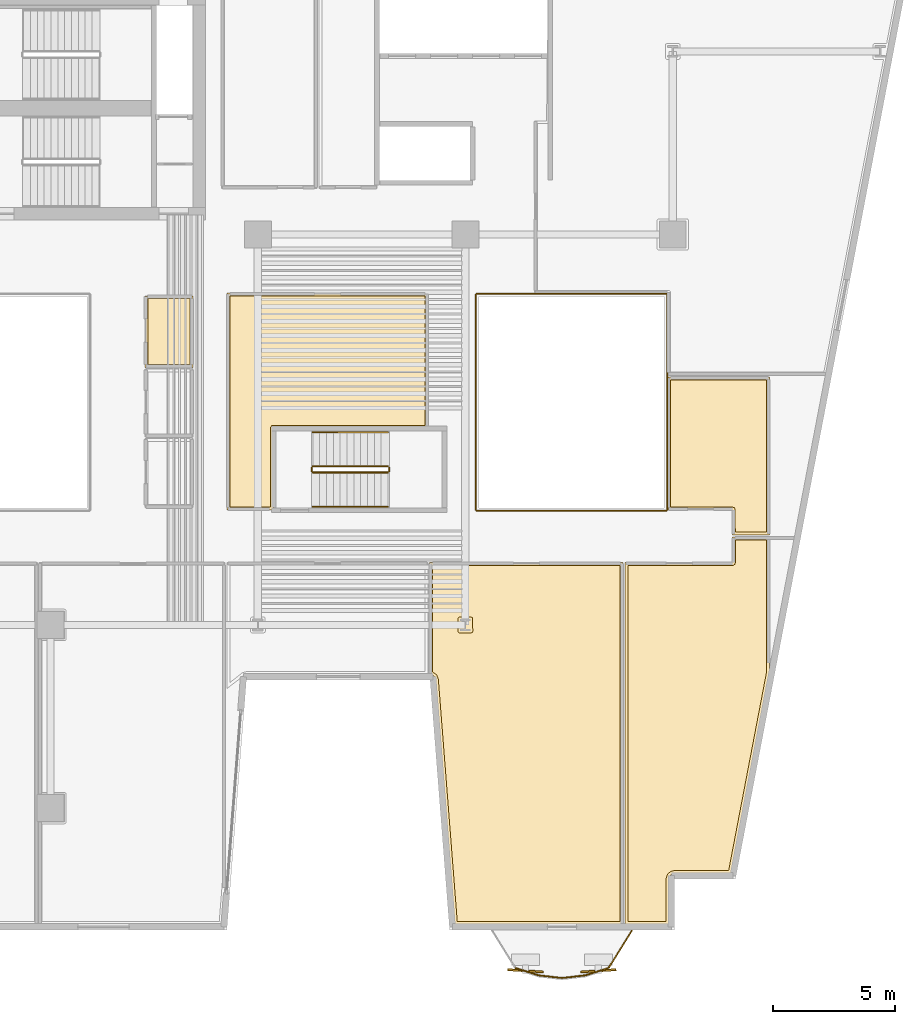
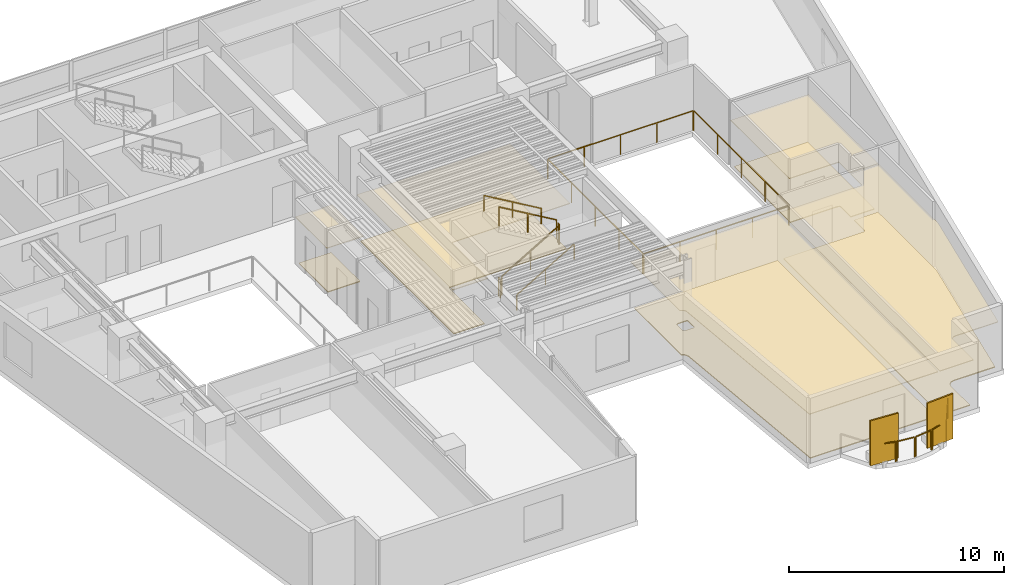
# One storey, part 11 of 13: 15 railings, 10 coverings, 2 shading devices.
"""IFC4 building model written with IfcOpenShell, lengths in metres."""

from ifc_helpers import new_model, si_unit, direction, frame, origin, origin_2d, place, context, subcontext, project, spatial, polyline, rectangle, outline, extrude, material, layer, layer_set, type_object, element, save


model = new_model("IFC4")

# Units and contexts
model_context = context("Model", 3, precision=1e-05, world=origin(), true_north=direction((0.0, 1.0)))
body_context = subcontext(model_context, "Body", "Model", "MODEL_VIEW")
ifc_project = project(units=[si_unit("LENGTHUNIT", "METRE"), si_unit("AREAUNIT", "SQUARE_METRE"), si_unit("VOLUMEUNIT", "CUBIC_METRE"), si_unit("PLANEANGLEUNIT", "RADIAN"), si_unit("MASSUNIT", "GRAM", prefix="KILO")], contexts=[model_context])

# Site, building, storey
site_placement = place(None, origin())
site = spatial("IfcSite", under=ifc_project, at=site_placement, CompositionType="ELEMENT")
building_placement = place(site_placement, origin())
building = spatial("IfcBuilding", under=site, at=building_placement, Name="Caeloran Harvest Quay", CompositionType="ELEMENT")
storey_placement = place(building_placement, frame((0.0, 0.0, 170.64990234375)))
storey = spatial("IfcBuildingStorey", under=building, at=storey_placement, Name="L40", CompositionType="ELEMENT", Elevation=170.64990234375)

# Coverings
ifc_material_1 = material(Name="Perforated Mineral-Fibre Acoustic Ceiling Tile", Category="ceiling")
ifc_layer_1 = layer(ifc_material_1, 0.0400390625, Name="Perforated Mineral-Fibre Acoustic Ceiling Tile")
ifc_layer_set_1 = layer_set([ifc_layer_1], Name="Perforated Mineral-Fibre Acoustic Ceiling Tile")
covering_type_1 = type_object("IfcCoveringType", Name="COV-CEILING-ACOUSTIC", PredefinedType="CEILING", material=ifc_layer_set_1)
covering_1_placement = place(storey_placement, frame((0.0, 0.0, 2.60009765625)))
element("IfcCovering", 1, at=covering_1_placement, inside=storey, type_object=covering_type_1, Name="L40 Male Washroom WC Acoustic Ceiling", PredefinedType="CEILING", context=body_context, shape_type="SweptSolid", body=[
    extrude(outline(polyline([(22.840087890625, 25.56005859375), (20.8701171875, 25.56005859375), (20.8701171875, 28.489990234375), (22.840087890625, 28.489990234375), (22.840087890625, 25.56005859375)])), origin(), (0.0, 0.0, 1.0), 0.0400390625),
])
covering_2_placement = place(storey_placement, frame((0.0, 0.0, 2.60009765625)))
element("IfcCovering", 2, at=covering_2_placement, inside=storey, type_object=covering_type_1, Name="Culinary Product Studio Acoustic Ceiling", PredefinedType="CEILING", context=body_context, shape_type="SweptSolid", body=[
    extrude(outline(polyline([(40.4599609375, 2.719970703125), (33.55859375, 2.719970703125), (32.7744140625, 12.76611328125), (32.759521484375, 12.830810546875), (32.712158203125, 12.90380859375), (32.5400390625, 13.01171875), (32.5400390625, 17.56005859375), (40.4599609375, 17.56005859375), (40.4599609375, 2.719970703125)])), origin(), (0.0, 0.0, 1.0), 0.0400390625),
])
covering_3_placement = place(storey_placement, frame((0.0, 0.0, 2.60009765625)))
element("IfcCovering", 3, at=covering_3_placement, inside=storey, type_object=covering_type_1, Name="Investor Dining Salon Lounge Acoustic Ceiling", PredefinedType="CEILING", context=body_context, shape_type="SweptSolid", body=[
    extrude(outline(polyline([(44.93994140625, 17.56005859375), (44.93994140625, 18.610107421875), (46.4599609375, 18.610107421875), (46.4599609375, 13.0458984375), (44.888916015625, 4.820068359375), (42.571044921875, 4.820068359375), (42.46630859375, 4.7939453125), (42.38720703125, 4.72216796875), (42.35107421875, 4.62158203125), (42.35009765625, 2.719970703125), (40.5400390625, 2.719970703125), (40.5400390625, 17.56005859375), (44.93994140625, 17.56005859375)])), origin(), (0.0, 0.0, 1.0), 0.0400390625),
])
covering_4_placement = place(storey_placement, frame((0.0, 0.0, 2.60009765625)))
element("IfcCovering", 4, at=covering_4_placement, inside=storey, type_object=covering_type_1, Name="Summit Boardroom Acoustic Ceiling", PredefinedType="CEILING", context=body_context, shape_type="SweptSolid", body=[
    extrude(outline(polyline([(44.93994140625, 19.7099609375), (42.2900390625, 19.7099609375), (42.2900390625, 25.159912109375), (46.4599609375, 25.159912109375), (46.4599609375, 18.68994140625), (44.93994140625, 18.68994140625), (44.93994140625, 19.7099609375)])), origin(), (0.0, 0.0, 1.0), 0.0400390625),
])
covering_5_placement = place(storey_placement, frame((0.0, 0.0, 2.60009765625)))
element("IfcCovering", 5, at=covering_5_placement, inside=storey, type_object=covering_type_1, Name="Hospitality Tasting Dining Kitchen 9 Acoustic Ceiling", PredefinedType="CEILING", context=body_context, shape_type="SweptSolid", body=[
    extrude(outline(polyline([(32.4599609375, 28.610107421875), (32.4599609375, 23.06005859375), (26.139892578125, 23.06005859375), (26.139892578125, 19.7099609375), (24.239990234375, 19.7099609375), (24.239990234375, 28.610107421875), (32.4599609375, 28.610107421875)])), origin(), (0.0, 0.0, 1.0), 0.0400390625),
])
ifc_material_2 = material(Name="Calcium-Sulphate Raised Access Floor and Terrazzo Finish", Category="flooring")
ifc_layer_2 = layer(ifc_material_2, 0.050048828125, Name="Calcium-Sulphate Raised Access Floor and Terrazzo Finish")
ifc_layer_set_2 = layer_set([ifc_layer_2], Name="Calcium-Sulphate Raised Access Floor and Terrazzo Finish")
covering_type_2 = type_object("IfcCoveringType", Name="COV-FLOOR-RAISED", PredefinedType="FLOORING", material=ifc_layer_set_2)
covering_6_placement = place(storey_placement, origin())
element("IfcCovering", 6, at=covering_6_placement, inside=storey, type_object=covering_type_2, Name="L40 Male Washroom WC Raised Finish Flooring", PredefinedType="FLOORING", context=body_context, shape_type="SweptSolid", body=[
    extrude(outline(polyline([(22.719970703125, 25.679931640625), (20.989990234375, 25.679931640625), (20.989990234375, 28.3701171875), (22.719970703125, 28.3701171875), (22.719970703125, 25.679931640625)])), origin(), (0.0, 0.0, 1.0), 0.050048828125),
])
covering_7_placement = place(storey_placement, origin())
element("IfcCovering", 7, at=covering_7_placement, inside=storey, type_object=covering_type_2, Name="Culinary Product Studio Raised Finish Flooring", PredefinedType="FLOORING", context=body_context, shape_type="SweptSolid", body=[
    extrude(outline(polyline([(32.659912109375, 13.0732421875), (32.659912109375, 17.43994140625), (40.340087890625, 17.43994140625), (40.340087890625, 2.840087890625), (33.66943359375, 2.840087890625), (32.89404296875, 12.776611328125), (32.82275390625, 12.959228515625), (32.659912109375, 13.0732421875)]), holes=[polyline([(34.306884765625, 14.748046875), (34.288818359375, 15.302734375), (34.23486328125, 15.33154296875), (33.77294921875, 15.33203125), (33.71630859375, 15.30859375), (33.693115234375, 15.251953125), (33.693115234375, 14.748046875), (33.71630859375, 14.69140625), (33.77294921875, 14.66796875), (34.22705078125, 14.66796875), (34.28369140625, 14.69140625), (34.306884765625, 14.748046875)])]), origin(), (0.0, 0.0, 1.0), 0.050048828125),
])
covering_8_placement = place(storey_placement, origin())
element("IfcCovering", 8, at=covering_8_placement, inside=storey, type_object=covering_type_2, Name="Investor Dining Salon Lounge Raised Finish Flooring", PredefinedType="FLOORING", context=body_context, shape_type="SweptSolid", body=[
    extrude(outline(polyline([(44.97802734375, 17.443603515625), (45.037353515625, 17.4833984375), (45.059814453125, 17.543212890625), (45.06005859375, 18.489990234375), (46.340087890625, 18.489990234375), (46.340087890625, 13.05712890625), (44.789794921875, 4.93994140625), (42.570068359375, 4.93994140625), (42.4130859375, 4.901611328125), (42.28515625, 4.78564453125), (42.231201171875, 4.62939453125), (42.22998046875, 2.840087890625), (40.659912109375, 2.840087890625), (40.659912109375, 17.43994140625), (44.97802734375, 17.443603515625)])), origin(), (0.0, 0.0, 1.0), 0.050048828125),
])
covering_9_placement = place(storey_placement, origin())
element("IfcCovering", 9, at=covering_9_placement, inside=storey, type_object=covering_type_2, Name="Summit Boardroom Raised Finish Flooring", PredefinedType="FLOORING", context=body_context, shape_type="SweptSolid", body=[
    extrude(outline(polyline([(45.056396484375, 19.748046875), (45.0166015625, 19.807373046875), (44.953857421875, 19.829833984375), (42.409912109375, 19.830078125), (42.409912109375, 25.0400390625), (46.340087890625, 25.0400390625), (46.340087890625, 18.81005859375), (45.06005859375, 18.81005859375), (45.056396484375, 19.748046875)])), origin(), (0.0, 0.0, 1.0), 0.050048828125),
])
covering_10_placement = place(storey_placement, origin())
element("IfcCovering", 10, at=covering_10_placement, inside=storey, type_object=covering_type_2, Name="Hospitality Tasting Dining Kitchen 9 Raised Finish Flooring", PredefinedType="FLOORING", context=body_context, shape_type="SweptSolid", body=[
    extrude(outline(polyline([(32.340087890625, 28.489990234375), (32.340087890625, 23.179931640625), (26.0693359375, 23.173828125), (26.02001953125, 23.10009765625), (26.02001953125, 19.830078125), (24.360107421875, 19.830078125), (24.360107421875, 28.489990234375), (32.340087890625, 28.489990234375)])), origin(), (0.0, 0.0, 1.0), 0.050048828125),
])

# Railings
ifc_material_3 = material(Name="Powder-Coated Steel Post and Laminated Glass Guardrail", Category="steel")
ifc_layer_3 = layer(ifc_material_3, 0.06005859375, Name="Powder-Coated Steel Post and Laminated Glass Guardrail")
ifc_layer_set_3 = layer_set([ifc_layer_3], Name="Powder-Coated Steel Post and Laminated Glass Guardrail")
railing_type_1 = type_object("IfcRailingType", Name="GUARD-ATRIUM-1150", PredefinedType="GUARDRAIL", material=ifc_layer_set_3)
railing_1_placement = place(storey_placement, frame((34.4619140625, 19.679931640625, 0.0)))
element("IfcRailing", 11, at=railing_1_placement, inside=storey, type_object=railing_type_1, Name="L40 East Botanical Lightwell Guardrail Seg 1", PredefinedType="GUARDRAIL", context=body_context, shape_type="SweptSolid", body=[
    extrude(rectangle(XDim=0.048095703125, YDim=0.048095703125, at=origin_2d()), frame((0.0, 0.0, 1.1259765625), z_axis=(1.0, 0.0, 0.0), x_axis=(0.0, 1.0, 0.0)), (0.0, 0.0, 1.0), 7.776123046875),
    extrude(rectangle(XDim=0.0419921875, YDim=0.0419921875, at=origin_2d()), origin(), (0.0, 0.0, 1.0), 1.101806640625),
    extrude(rectangle(XDim=0.0419921875, YDim=0.0419921875, at=origin_2d()), frame((1.944091796875, 0.0, 0.0)), (0.0, 0.0, 1.0), 1.101806640625),
    extrude(rectangle(XDim=0.0419921875, YDim=0.0419921875, at=origin_2d()), frame((3.88818359375, 0.0, 0.0)), (0.0, 0.0, 1.0), 1.101806640625),
    extrude(rectangle(XDim=0.0419921875, YDim=0.0419921875, at=origin_2d()), frame((5.83203125, 0.0, 0.0)), (0.0, 0.0, 1.0), 1.101806640625),
    extrude(rectangle(XDim=0.0419921875, YDim=0.0419921875, at=origin_2d()), frame((7.776123046875, 0.0, 0.0)), (0.0, 0.0, 1.0), 1.101806640625),
])
railing_2_placement = place(storey_placement, frame((42.27001953125, 19.7119140625, 0.0)))
element("IfcRailing", 12, at=railing_2_placement, inside=storey, type_object=railing_type_1, Name="L40 East Botanical Lightwell Guardrail Seg 2", PredefinedType="GUARDRAIL", context=body_context, shape_type="SweptSolid", body=[
    extrude(rectangle(XDim=0.048095703125, YDim=0.048095703125, at=origin_2d()), frame((0.0, 0.0, 1.1259765625), z_axis=(0.0, 1.0, 0.0), x_axis=(-1.0, 0.0, 0.0)), (0.0, 0.0, 1.0), 8.826171875),
    extrude(rectangle(XDim=0.0419921875, YDim=0.0419921875, at=origin_2d()), origin(), (0.0, 0.0, 1.0), 1.101806640625),
    extrude(rectangle(XDim=0.0419921875, YDim=0.0419921875, at=origin_2d()), frame((0.0, 2.20654296875, 0.0)), (0.0, 0.0, 1.0), 1.101806640625),
    extrude(rectangle(XDim=0.0419921875, YDim=0.0419921875, at=origin_2d()), frame((0.0, 4.4130859375, 0.0)), (0.0, 0.0, 1.0), 1.101806640625),
    extrude(rectangle(XDim=0.0419921875, YDim=0.0419921875, at=origin_2d()), frame((0.0, 6.61962890625, 0.0)), (0.0, 0.0, 1.0), 1.101806640625),
    extrude(rectangle(XDim=0.0419921875, YDim=0.0419921875, at=origin_2d()), frame((0.0, 8.826171875, 0.0)), (0.0, 0.0, 1.0), 1.101806640625),
])
railing_3_placement = place(storey_placement, frame((42.238037109375, 28.570068359375, 0.0)))
element("IfcRailing", 13, at=railing_3_placement, inside=storey, type_object=railing_type_1, Name="L40 East Botanical Lightwell Guardrail Seg 3", PredefinedType="GUARDRAIL", context=body_context, shape_type="SweptSolid", body=[
    extrude(rectangle(XDim=0.048095703125, YDim=0.048095703125, at=origin_2d()), frame((0.0, 0.0, 1.1259765625), z_axis=(-1.0, 0.0, 0.0), x_axis=(0.0, -1.0, 0.0)), (0.0, 0.0, 1.0), 7.776123046875),
    extrude(rectangle(XDim=0.0419921875, YDim=0.0419921875, at=origin_2d()), origin(), (0.0, 0.0, 1.0), 1.101806640625),
    extrude(rectangle(XDim=0.0419921875, YDim=0.0419921875, at=origin_2d()), frame((-1.944091796875, 0.0, 0.0)), (0.0, 0.0, 1.0), 1.101806640625),
    extrude(rectangle(XDim=0.0419921875, YDim=0.0419921875, at=origin_2d()), frame((-3.88818359375, 0.0, 0.0)), (0.0, 0.0, 1.0), 1.101806640625),
    extrude(rectangle(XDim=0.0419921875, YDim=0.0419921875, at=origin_2d()), frame((-5.83203125, 0.0, 0.0)), (0.0, 0.0, 1.0), 1.101806640625),
    extrude(rectangle(XDim=0.0419921875, YDim=0.0419921875, at=origin_2d()), frame((-7.776123046875, 0.0, 0.0)), (0.0, 0.0, 1.0), 1.101806640625),
])
railing_4_placement = place(storey_placement, frame((34.429931640625, 28.5380859375, 0.0)))
element("IfcRailing", 14, at=railing_4_placement, inside=storey, type_object=railing_type_1, Name="L40 East Botanical Lightwell Guardrail Seg 4", PredefinedType="GUARDRAIL", context=body_context, shape_type="SweptSolid", body=[
    extrude(rectangle(XDim=0.048095703125, YDim=0.048095703125, at=origin_2d()), frame((0.0, 0.0, 1.1259765625), z_axis=(0.0, -1.0, 0.0), x_axis=(1.0, 0.0, 0.0)), (0.0, 0.0, 1.0), 8.826171875),
    extrude(rectangle(XDim=0.0419921875, YDim=0.0419921875, at=origin_2d()), origin(), (0.0, 0.0, 1.0), 1.101806640625),
    extrude(rectangle(XDim=0.0419921875, YDim=0.0419921875, at=origin_2d()), frame((0.0, -2.20654296875, 0.0)), (0.0, 0.0, 1.0), 1.101806640625),
    extrude(rectangle(XDim=0.0419921875, YDim=0.0419921875, at=origin_2d()), frame((0.0, -4.4130859375, 0.0)), (0.0, 0.0, 1.0), 1.101806640625),
    extrude(rectangle(XDim=0.0419921875, YDim=0.0419921875, at=origin_2d()), frame((0.0, -6.61962890625, 0.0)), (0.0, 0.0, 1.0), 1.101806640625),
    extrude(rectangle(XDim=0.0419921875, YDim=0.0419921875, at=origin_2d()), frame((0.0, -8.826171875, 0.0)), (0.0, 0.0, 1.0), 1.101806640625),
])
ifc_material_4 = material(Name="Laminated Safety Glass and Stainless Steel 316", Category="steel")
ifc_layer_4 = layer(ifc_material_4, 0.06005859375, Name="Laminated Safety Glass and Stainless Steel 316")
ifc_layer_set_4 = layer_set([ifc_layer_4], Name="Laminated Safety Glass and Stainless Steel 316")
railing_type_2 = type_object("IfcRailingType", Name="GUARD-BALUSTRADE-1150", PredefinedType="BALUSTRADE", material=ifc_layer_set_4)
railing_5_placement = place(storey_placement, frame((40.825927734375, 2.47998046875, 0.0)))
element("IfcRailing", 15, at=railing_5_placement, inside=storey, type_object=railing_type_2, Name="L40 Planted Balcony Perimeter Balustrade Guard Seg 1", PredefinedType="BALUSTRADE", context=body_context, shape_type="SweptSolid", body=[
    extrude(rectangle(XDim=0.048095703125, YDim=0.048095703125, at=origin_2d()), frame((0.0, 0.0, 1.1259765625), z_axis=(-0.529145567667, -0.84853106497, 0.0), x_axis=(0.84853106497, -0.529145567667, 0.0)), (0.0, 0.0, 1.0), 1.77490234375),
    extrude(rectangle(XDim=0.0419921875, YDim=0.0419921875, at=origin_2d()), origin(), (0.0, 0.0, 1.0), 1.101806640625),
    extrude(rectangle(XDim=0.0419921875, YDim=0.0419921875, at=origin_2d()), frame((-0.939208984375, -1.506103515625, 0.0)), (0.0, 0.0, 1.0), 1.101806640625),
])
railing_6_placement = place(storey_placement, frame((39.83935546875, 0.93701171875, 0.0)))
element("IfcRailing", 16, at=railing_6_placement, inside=storey, type_object=railing_type_2, Name="L40 Planted Balcony Perimeter Balustrade Guard Seg 2", PredefinedType="BALUSTRADE", context=body_context, shape_type="SweptSolid", body=[
    extrude(rectangle(XDim=0.048095703125, YDim=0.048095703125, at=origin_2d()), frame((0.0, 0.0, 1.1259765625), z_axis=(-0.953433225927, -0.301604183822, 0.0), x_axis=(0.301604183822, -0.953433225927, 0.0)), (0.0, 0.0, 1.0), 0.93896484375),
    extrude(rectangle(XDim=0.0419921875, YDim=0.0419921875, at=origin_2d()), origin(), (0.0, 0.0, 1.0), 1.101806640625),
    extrude(rectangle(XDim=0.0419921875, YDim=0.0419921875, at=origin_2d()), frame((-0.895263671875, -0.283203125, 0.0)), (0.0, 0.0, 1.0), 1.101806640625),
])
railing_7_placement = place(storey_placement, frame((38.8818359375, 0.640380859375, 0.0)))
element("IfcRailing", 17, at=railing_7_placement, inside=storey, type_object=railing_type_2, Name="L40 Planted Balcony Perimeter Balustrade Guard Seg 3", PredefinedType="BALUSTRADE", context=body_context, shape_type="SweptSolid", body=[
    extrude(rectangle(XDim=0.048095703125, YDim=0.048095703125, at=origin_2d()), frame((0.0, 0.0, 1.1259765625), z_axis=(-0.993342131625, -0.115201603887, 0.0), x_axis=(0.115201603887, -0.993342131625, 0.0)), (0.0, 0.0, 1.0), 0.898681640625),
    extrude(rectangle(XDim=0.0419921875, YDim=0.0419921875, at=origin_2d()), origin(), (0.0, 0.0, 1.0), 1.101806640625),
    extrude(rectangle(XDim=0.0419921875, YDim=0.0419921875, at=origin_2d()), frame((-0.892578125, -0.103515625, 0.0)), (0.0, 0.0, 1.0), 1.101806640625),
])
railing_8_placement = place(storey_placement, frame((37.92578125, 0.536865234375, 0.0)))
element("IfcRailing", 18, at=railing_8_placement, inside=storey, type_object=railing_type_2, Name="L40 Planted Balcony Perimeter Balustrade Guard Seg 4", PredefinedType="BALUSTRADE", context=body_context, shape_type="SweptSolid", body=[
    extrude(rectangle(XDim=0.048095703125, YDim=0.048095703125, at=origin_2d()), frame((0.0, 0.0, 1.1259765625), z_axis=(-0.993342131625, 0.115201603887, 0.0), x_axis=(-0.115201603887, -0.993342131625, 0.0)), (0.0, 0.0, 1.0), 0.898681640625),
    extrude(rectangle(XDim=0.0419921875, YDim=0.0419921875, at=origin_2d()), origin(), (0.0, 0.0, 1.0), 1.101806640625),
    extrude(rectangle(XDim=0.0419921875, YDim=0.0419921875, at=origin_2d()), frame((-0.892578125, 0.103515625, 0.0)), (0.0, 0.0, 1.0), 1.101806640625),
])
railing_9_placement = place(storey_placement, frame((36.970703125, 0.65380859375, 0.0)))
element("IfcRailing", 19, at=railing_9_placement, inside=storey, type_object=railing_type_2, Name="L40 Planted Balcony Perimeter Balustrade Guard Seg 5", PredefinedType="BALUSTRADE", context=body_context, shape_type="SweptSolid", body=[
    extrude(rectangle(XDim=0.048095703125, YDim=0.048095703125, at=origin_2d()), frame((0.0, 0.0, 1.1259765625), z_axis=(-0.953409565879, 0.301678967927, 0.0), x_axis=(-0.301678967927, -0.953409565879, 0.0)), (0.0, 0.0, 1.0), 0.938720703125),
    extrude(rectangle(XDim=0.0419921875, YDim=0.0419921875, at=origin_2d()), origin(), (0.0, 0.0, 1.0), 1.101806640625),
    extrude(rectangle(XDim=0.0419921875, YDim=0.0419921875, at=origin_2d()), frame((-0.89501953125, 0.283203125, 0.0)), (0.0, 0.0, 1.0), 1.101806640625),
])

# Shading devices
ifc_material_5 = material(Name="3003-H14 Perforated Powder-Coated Aluminium", Category="aluminium")
shading_device_type = type_object("IfcShadingDeviceType", Name="SHADE-SCREEN-FOLDED", PredefinedType="USERDEFINED", material=ifc_material_5)
for number, where, z_axis, x_axis, name in (
    (20, (39.44921875, 0.82861328125, 0.0751953125), (0.0, 0.0, 1.0), (0.997801468292, 0.0662739004, 0.0), "L40 Folded Facade Breathing Screen 1"),
    (21, (36.4658203125, 0.82861328125, 0.0751953125), (0.0, 0.0, 1.0), (0.997801468292, -0.0662739004, 0.0), "L40 Folded Facade Breathing Screen 2"),
):
    element("IfcShadingDevice", number, at=place(storey_placement, frame(where, z_axis=z_axis, x_axis=x_axis)), inside=storey, type_object=shading_device_type, Name=name, ObjectType="SCREEN", PredefinedType="USERDEFINED", context=body_context, shape_type="SweptSolid", body=[
        extrude(rectangle(XDim=1.449951171875, YDim=0.080078125, at=origin_2d()), origin(), (0.0, 0.0, 1.0), 2.550048828125),
    ])

# Railings
ifc_material_6 = material(Name="Painted Steel Baluster and Top-Rail Stair Guard", Category="steel")
ifc_layer_5 = layer(ifc_material_6, 0.050048828125, Name="Painted Steel Baluster and Top-Rail Stair Guard")
ifc_layer_set_5 = layer_set([ifc_layer_5], Name="Painted Steel Baluster and Top-Rail Stair Guard")
railing_type_3 = type_object("IfcRailingType", Name="STAIR-GUARD-1100", PredefinedType="GUARDRAIL", material=ifc_layer_set_5)
railing_10_placement = place(storey_placement, frame((27.75, 21.25, 0.164794921875)))
element("IfcRailing", 22, at=railing_10_placement, inside=storey, type_object=railing_type_3, Name="L40 ST-W1 stair guard 1", PredefinedType="GUARDRAIL", context=body_context, shape_type="SweptSolid", body=[
    extrude(rectangle(XDim=0.048095703125, YDim=0.048095703125, at=origin_2d()), frame((0.0, 0.0, 1.076171875), z_axis=(0.862118610829, 0.0, 0.506706523406), x_axis=(0.0, 1.0, 0.0)), (0.0, 0.0, 1.0), 3.57275390625),
    extrude(rectangle(XDim=0.0419921875, YDim=0.0419921875, at=origin_2d()), origin(), (0.0, 0.0, 1.0), 1.052001953125),
    extrude(rectangle(XDim=0.0419921875, YDim=0.0419921875, at=origin_2d()), frame((1.5400390625, 0.0, 0.9052734375)), (0.0, 0.0, 1.0), 1.052001953125),
    extrude(rectangle(XDim=0.0419921875, YDim=0.0419921875, at=origin_2d()), frame((3.080078125, 0.0, 1.810302734375)), (0.0, 0.0, 1.0), 1.052001953125),
])
railing_11_placement = place(storey_placement, frame((30.8798828125, 21.300048828125, 1.97509765625)))
element("IfcRailing", 23, at=railing_11_placement, inside=storey, type_object=railing_type_3, Name="L40 ST-W1 stair guard 2", PredefinedType="GUARDRAIL", context=body_context, shape_type="SweptSolid", body=[
    extrude(rectangle(XDim=0.048095703125, YDim=0.048095703125, at=origin_2d()), frame((0.0, 0.0, 1.076171875), z_axis=(0.0, 1.0, 0.0), x_axis=(-1.0, 0.0, 0.0)), (0.0, 0.0, 1.0), 0.14990234375),
    extrude(rectangle(XDim=0.0419921875, YDim=0.0419921875, at=origin_2d()), origin(), (0.0, 0.0, 1.0), 1.052001953125),
    extrude(rectangle(XDim=0.0419921875, YDim=0.0419921875, at=origin_2d()), frame((0.0, 0.14990234375, 0.0)), (0.0, 0.0, 1.0), 1.052001953125),
])
railing_12_placement = place(storey_placement, frame((30.830078125, 21.5, 2.1396484375)))
element("IfcRailing", 24, at=railing_12_placement, inside=storey, type_object=railing_type_3, Name="L40 ST-W1 stair guard 3", PredefinedType="GUARDRAIL", context=body_context, shape_type="SweptSolid", body=[
    extrude(rectangle(XDim=0.048095703125, YDim=0.048095703125, at=origin_2d()), frame((0.0, 0.0, 1.076171875), z_axis=(-0.862088758681, 0.0, 0.506757310905), x_axis=(0.0, -1.0, 0.0)), (0.0, 0.0, 1.0), 3.57275390625),
    extrude(rectangle(XDim=0.0419921875, YDim=0.0419921875, at=origin_2d()), origin(), (0.0, 0.0, 1.0), 1.052001953125),
    extrude(rectangle(XDim=0.0419921875, YDim=0.0419921875, at=origin_2d()), frame((-1.5400390625, 0.0, 0.9052734375)), (0.0, 0.0, 1.0), 1.052001953125),
    extrude(rectangle(XDim=0.0419921875, YDim=0.0419921875, at=origin_2d()), frame((-3.080078125, 0.0, 1.810546875)), (0.0, 0.0, 1.0), 1.052001953125),
])
railing_13_placement = place(storey_placement, frame((27.699951171875, 21.300048828125, 0.0)))
element("IfcRailing", 25, at=railing_13_placement, inside=storey, type_object=railing_type_3, Name="L40 ST-W1 stair guard 4", PredefinedType="GUARDRAIL", context=body_context, shape_type="SweptSolid", body=[
    extrude(rectangle(XDim=0.048095703125, YDim=0.048095703125, at=origin_2d()), frame((0.0, 0.0, 1.076171875), z_axis=(0.0, 1.0, 0.0), x_axis=(-1.0, 0.0, 0.0)), (0.0, 0.0, 1.0), 0.14990234375),
    extrude(rectangle(XDim=0.0419921875, YDim=0.0419921875, at=origin_2d()), origin(), (0.0, 0.0, 1.0), 1.052001953125),
    extrude(rectangle(XDim=0.0419921875, YDim=0.0419921875, at=origin_2d()), frame((0.0, 0.14990234375, 0.0)), (0.0, 0.0, 1.0), 1.052001953125),
])
ifc_material_7 = material(Name="Brushed Stainless Steel Grade 304", Category="steel")
ifc_layer_6 = layer(ifc_material_7, 0.050048828125, Name="Brushed Stainless Steel Grade 304")
ifc_layer_set_6 = layer_set([ifc_layer_6], Name="Brushed Stainless Steel Grade 304")
railing_type_4 = type_object("IfcRailingType", Name="STAIR-HANDRAIL-900", PredefinedType="HANDRAIL", material=ifc_layer_set_6)
railing_14_placement = place(storey_placement, frame((27.75, 19.85009765625, 0.164794921875)))
element("IfcRailing", 26, at=railing_14_placement, inside=storey, type_object=railing_type_4, Name="L40 ST-W1 stair handrail 1", PredefinedType="HANDRAIL", context=body_context, shape_type="SweptSolid", body=[
    extrude(rectangle(XDim=0.048095703125, YDim=0.048095703125, at=origin_2d()), frame((0.0, 0.0, 0.8759765625), z_axis=(0.862118610829, 0.0, 0.506706523406), x_axis=(0.0, 1.0, 0.0)), (0.0, 0.0, 1.0), 3.57275390625),
    extrude(rectangle(XDim=0.0419921875, YDim=0.0419921875, at=origin_2d()), origin(), (0.0, 0.0, 1.0), 0.851806640625),
    extrude(rectangle(XDim=0.0419921875, YDim=0.0419921875, at=origin_2d()), frame((1.5400390625, 0.0, 0.9052734375)), (0.0, 0.0, 1.0), 0.851806640625),
    extrude(rectangle(XDim=0.0419921875, YDim=0.0419921875, at=origin_2d()), frame((3.080078125, 0.0, 1.810302734375)), (0.0, 0.0, 1.0), 0.851806640625),
])
railing_15_placement = place(storey_placement, frame((30.830078125, 22.89990234375, 2.1396484375)))
element("IfcRailing", 27, at=railing_15_placement, inside=storey, type_object=railing_type_4, Name="L40 ST-W1 stair handrail 2", PredefinedType="HANDRAIL", context=body_context, shape_type="SweptSolid", body=[
    extrude(rectangle(XDim=0.048095703125, YDim=0.048095703125, at=origin_2d()), frame((0.0, 0.0, 0.8759765625), z_axis=(-0.862088758681, 0.0, 0.506757310905), x_axis=(0.0, -1.0, 0.0)), (0.0, 0.0, 1.0), 3.57275390625),
    extrude(rectangle(XDim=0.0419921875, YDim=0.0419921875, at=origin_2d()), origin(), (0.0, 0.0, 1.0), 0.851806640625),
    extrude(rectangle(XDim=0.0419921875, YDim=0.0419921875, at=origin_2d()), frame((-1.5400390625, 0.0, 0.9052734375)), (0.0, 0.0, 1.0), 0.851806640625),
    extrude(rectangle(XDim=0.0419921875, YDim=0.0419921875, at=origin_2d()), frame((-3.080078125, 0.0, 1.810546875)), (0.0, 0.0, 1.0), 0.851806640625),
])

save(model, "model.ifc")
